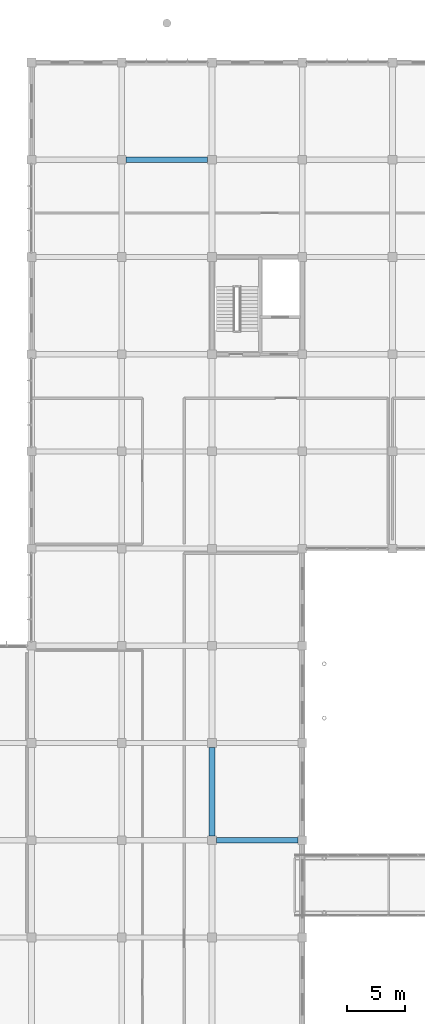
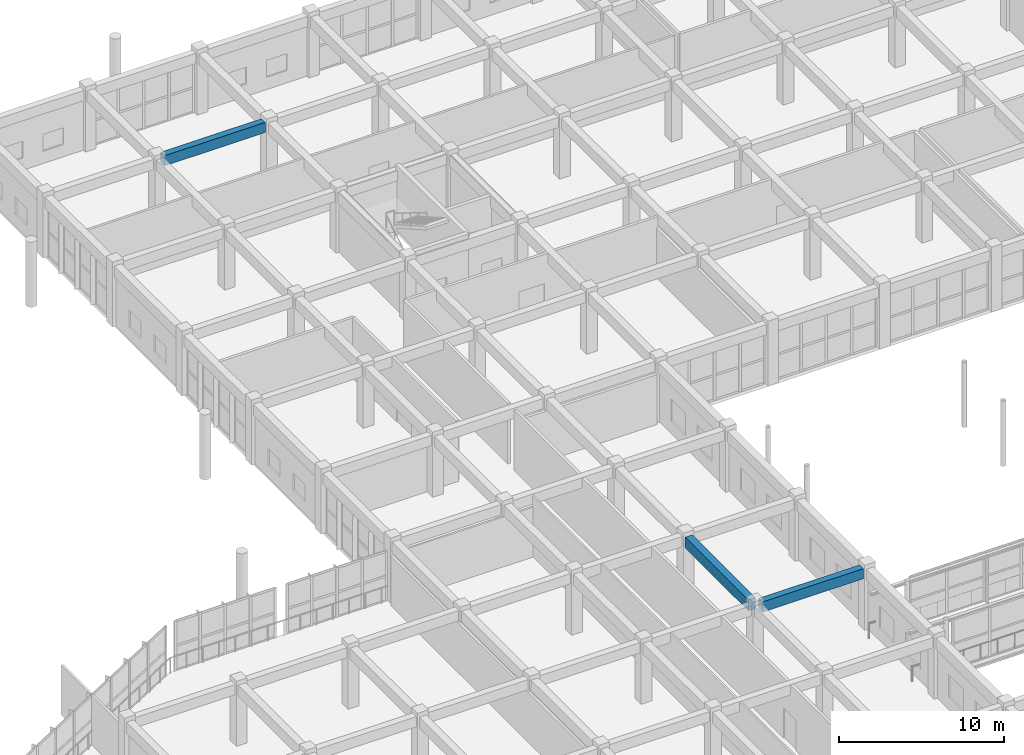
# One storey, part 71 of 175: 3 beams.
"""IFC4 building model written with IfcOpenShell, lengths in metres."""

from ifc_helpers import new_model, si_unit, direction, frame, origin, origin_2d, place, context, subcontext, project, spatial, rectangle, extrude, material, material_profile, profile_set, type_object, element, save


model = new_model("IFC4")

# Units and contexts
model_context = context("Model", 3, precision=1e-05, world=origin(), true_north=direction((0.0, 1.0)))
body_context = subcontext(model_context, "Body", "Model", "MODEL_VIEW")
ifc_project = project(units=[si_unit("LENGTHUNIT", "METRE"), si_unit("AREAUNIT", "SQUARE_METRE"), si_unit("VOLUMEUNIT", "CUBIC_METRE"), si_unit("PLANEANGLEUNIT", "RADIAN"), si_unit("MASSUNIT", "GRAM", prefix="KILO")], contexts=[model_context])

# Site, building, storey
site_placement = place(None, origin())
site = spatial("IfcSite", under=ifc_project, at=site_placement, CompositionType="ELEMENT")
building_placement = place(site_placement, origin())
building = spatial("IfcBuilding", under=site, at=building_placement, Name="Zizhar Promenade General Hospital", CompositionType="ELEMENT")
storey_placement = place(building_placement, frame((0.0, 0.0, 4.800048828125)))
storey = spatial("IfcBuildingStorey", under=building, at=storey_placement, Name="L01", CompositionType="ELEMENT", Elevation=4.800048828125)

# Beams
ifc_material_1 = material(Name="Concrete C35/45", Category="concrete")
ifc_material_profile_1 = material_profile(ifc_material_1, rectangle(XDim=0.449951171875, YDim=0.75, at=origin_2d()))
ifc_profile_set_1 = profile_set([ifc_material_profile_1], Name="Concrete C35/45")
beam_type_1 = type_object("IfcBeamType", Name="BM-RC-450x750", PredefinedType="BEAM", material=ifc_profile_set_1)
beam_1_placement = place(storey_placement, frame((54.97509765625, 126.0, 4.094970703125), z_axis=(1.0, 0.0, 0.0), x_axis=(0.0, 1.0, 0.0)))
element("IfcBeam", 1, at=beam_1_placement, inside=storey, type_object=beam_type_1, Name="Grid Beam X L01 (7-15)", PredefinedType="BEAM", context=body_context, shape_type="SweptSolid", body=[
    extrude(rectangle(XDim=0.449951171875, YDim=0.75, at=origin_2d()), origin(), (0.0, 0.0, 1.0), 7.0498046875),
])
beam_2_placement = place(storey_placement, frame((62.77490234375, 67.199951171875, 4.094970703125), z_axis=(1.0, 0.0, 0.0), x_axis=(0.0, 1.0, 0.0)))
element("IfcBeam", 2, at=beam_2_placement, inside=storey, type_object=beam_type_1, Name="Grid Beam X L01 (8-8)", PredefinedType="BEAM", context=body_context, shape_type="SweptSolid", body=[
    extrude(rectangle(XDim=0.449951171875, YDim=0.75, at=origin_2d()), origin(), (0.0, 0.0, 1.0), 7.050048828125),
])
ifc_material_2 = material(Name="Concrete C35/45", Category="concrete")
ifc_material_profile_2 = material_profile(ifc_material_2, rectangle(XDim=0.5, YDim=0.800048828125, at=origin_2d()))
ifc_profile_set_2 = profile_set([ifc_material_profile_2], Name="Concrete C35/45")
beam_type_2 = type_object("IfcBeamType", Name="BM-RC-500x800", PredefinedType="BEAM", material=ifc_profile_set_2)
beam_3_placement = place(storey_placement, frame((62.39990234375, 67.574951171875, 4.070068359375), z_axis=(0.0, 1.0, 0.0), x_axis=(-1.0, 0.0, 0.0)))
element("IfcBeam", 3, at=beam_3_placement, inside=storey, type_object=beam_type_2, Name="Grid Beam Y L01 (8-8)", PredefinedType="BEAM", context=body_context, shape_type="SweptSolid", body=[
    extrude(rectangle(XDim=0.5, YDim=0.800048828125, at=origin_2d()), origin(), (0.0, 0.0, 1.0), 7.650146484375),
])

save(model, "model.ifc")
